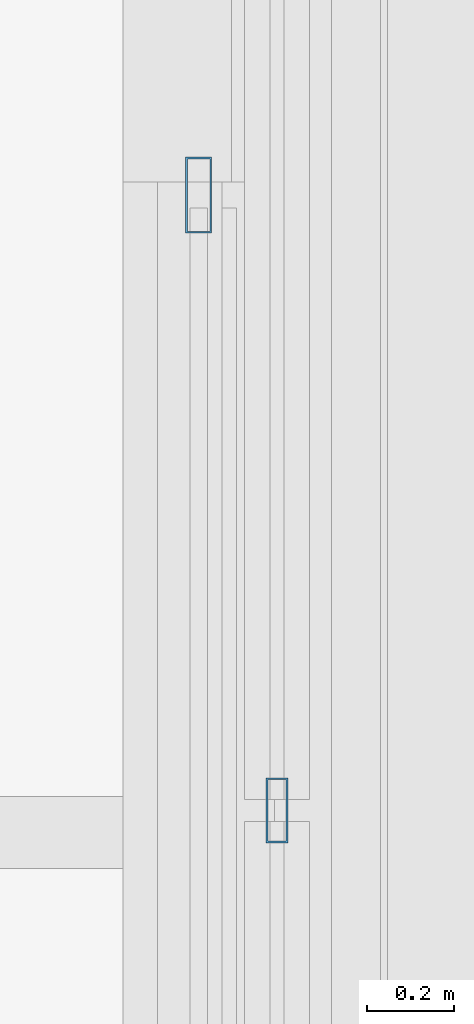
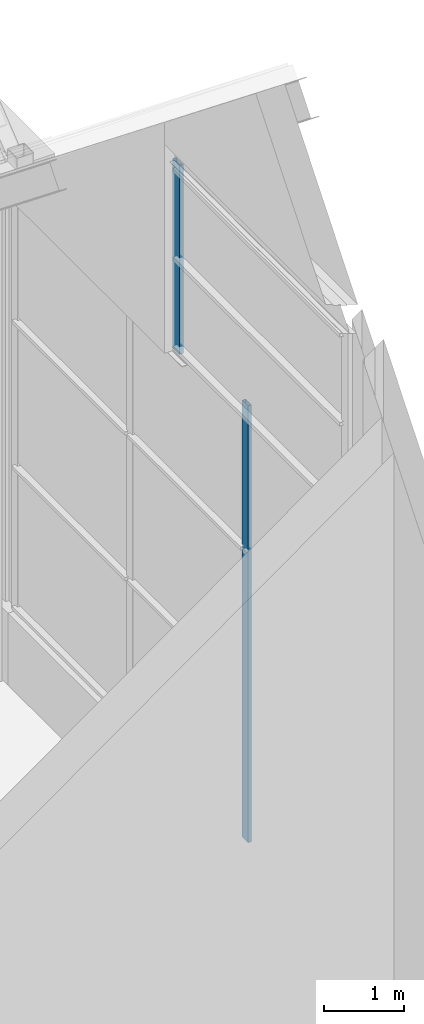
# One storey, part 71 of 144: 2 members, 2 elements without a shape of their own.
"""IFC4 building model written with IfcOpenShell, lengths in metres."""

from ifc_helpers import new_model, si_unit, direction, frame, origin, origin_2d, place, context, subcontext, project, spatial, hollow_rectangle, extrude, material, layer, layer_set, material_profile, profile_set, type_object, element, aggregate, save


model = new_model("IFC4")

# Units and contexts
model_context = context("Model", 3, precision=1e-05, world=origin(), true_north=direction((0.0, 1.0)))
body_context = subcontext(model_context, "Body", "Model", "MODEL_VIEW")
ifc_project = project(units=[si_unit("LENGTHUNIT", "METRE"), si_unit("AREAUNIT", "SQUARE_METRE"), si_unit("VOLUMEUNIT", "CUBIC_METRE"), si_unit("PLANEANGLEUNIT", "RADIAN"), si_unit("MASSUNIT", "GRAM", prefix="KILO")], contexts=[model_context])

# Site, building, storey
site_placement = place(None, origin())
site = spatial("IfcSite", under=ifc_project, at=site_placement, CompositionType="ELEMENT")
building_placement = place(site_placement, origin())
building = spatial("IfcBuilding", under=site, at=building_placement, Name="Shorebreak Coast Museum", CompositionType="ELEMENT")
storey_placement = place(building_placement, frame((0.0, 0.0, 36.0)))
storey = spatial("IfcBuildingStorey", under=building, at=storey_placement, Name="L06", CompositionType="ELEMENT", Elevation=36.0)

# Curtain wall, member
ifc_material_1 = material(Name="Aluminium", Category="aluminium")
ifc_layer_1 = layer(ifc_material_1, 0.175048828125)
ifc_layer_set_1 = layer_set([ifc_layer_1], Name="Aluminium")
curtain_wall_type_1 = type_object("IfcCurtainWallType", Name="Gable curtain wall", PredefinedType="NOTDEFINED", material=ifc_layer_set_1)
curtain_wall_1_placement = place(storey_placement, origin())
curtain_wall_1 = element("IfcCurtainWall", 1, at=curtain_wall_1_placement, inside=storey, type_object=curtain_wall_type_1, Name="Gable glazing FOLD-X-117-1", PredefinedType="NOTDEFINED")
ifc_material_2 = material(Name="Aluminium", Category="aluminium")
ifc_material_profile_1 = material_profile(ifc_material_2, hollow_rectangle(XDim=0.06005859375, YDim=0.175048828125, WallThickness=0.00390625, at=origin_2d()), Name="AL 175x60 RHS")
ifc_profile_set_1 = profile_set([ifc_material_profile_1], Name="Aluminium")
member_type_1 = type_object("IfcMemberType", Name="Gable mullion 60 x 175", PredefinedType="MULLION", material=ifc_profile_set_1)
member_1_placement = place(storey_placement, frame((116.66943359375, 67.469970703125, 7.800048828125), z_axis=(0.0, 0.0, 1.0), x_axis=(-1.0, 0.0, 0.0)))
member_1 = element("IfcMember", 2, at=member_1_placement, type_object=member_type_1, Name="CW9 mullion 2", PredefinedType="MULLION", context=body_context, shape_type="SweptSolid", body=[
    extrude(hollow_rectangle(XDim=0.06005859375, YDim=0.175048828125, WallThickness=0.00390625, at=origin_2d()), origin(), (0.0, 0.0, 1.0), 2.90185546875),
])
aggregate(curtain_wall_1, [member_1])

ifc_material_3 = material(Name="Aluminium", Category="aluminium")
ifc_layer_2 = layer(ifc_material_3, 0.14990234375)
ifc_layer_set_2 = layer_set([ifc_layer_2], Name="Aluminium")
curtain_wall_type_2 = type_object("IfcCurtainWallType", Name="Storefront curtain wall", PredefinedType="NOTDEFINED", material=ifc_layer_set_2)
curtain_wall_2_placement = place(storey_placement, origin())
curtain_wall_2 = element("IfcCurtainWall", 3, at=curtain_wall_2_placement, inside=storey, type_object=curtain_wall_type_2, Name="Atrium Hall glazing L06 E 20", PredefinedType="NOTDEFINED")
ifc_material_4 = material(Name="Aluminium", Category="aluminium")
ifc_material_profile_2 = material_profile(ifc_material_4, hollow_rectangle(XDim=0.050048828125, YDim=0.14990234375, WallThickness=0.00390625, at=origin_2d()), Name="AL 150x50 RHS")
ifc_profile_set_2 = profile_set([ifc_material_profile_2], Name="Aluminium")
member_type_2 = type_object("IfcMemberType", Name="Storefront mullion 50 x 150", PredefinedType="MULLION", material=ifc_profile_set_2)
member_2_placement = place(storey_placement, frame((116.85009765625, 66.051025390625, 1.10009765625), z_axis=(0.0, 0.0, 1.0), x_axis=(-1.0, 0.0, 0.0)))
member_2 = element("IfcMember", 4, at=member_2_placement, type_object=member_type_2, Name="CW5 mullion 2", PredefinedType="MULLION", context=body_context, shape_type="SweptSolid", body=[
    extrude(hollow_rectangle(XDim=0.050048828125, YDim=0.14990234375, WallThickness=0.00390625, at=origin_2d()), origin(), (0.0, 0.0, 1.0), 6.699951171875),
])
aggregate(curtain_wall_2, [member_2])

save(model, "model.ifc")
